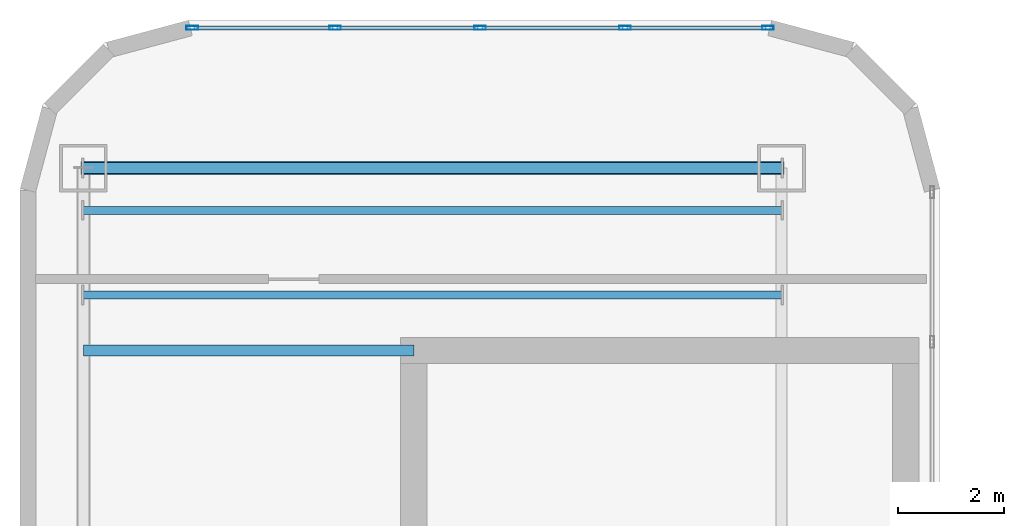
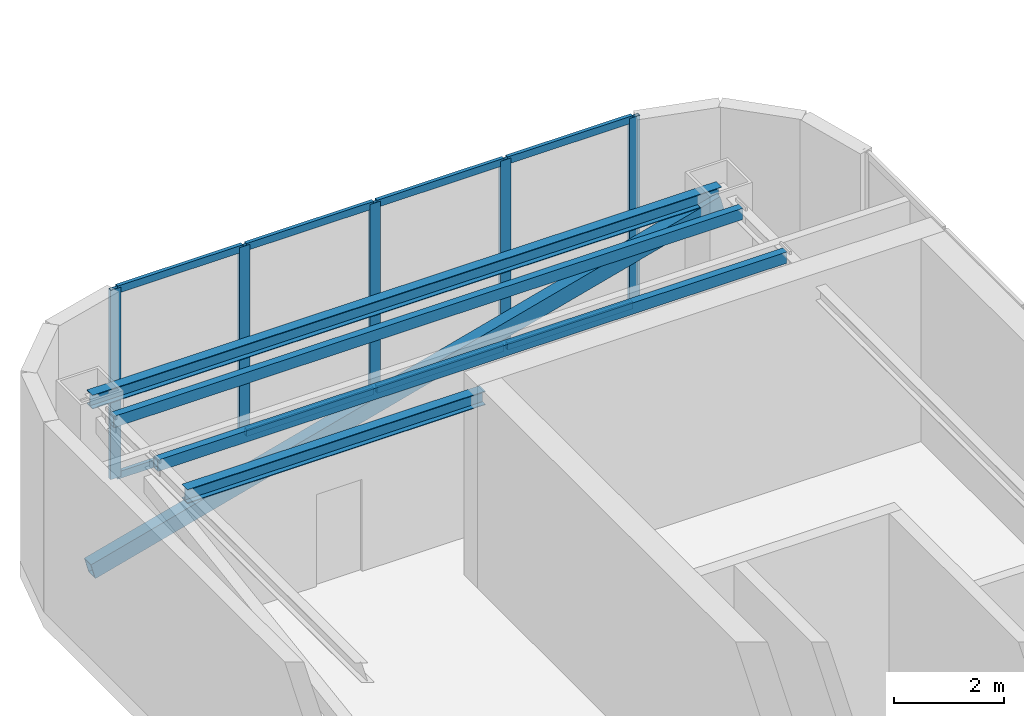
# One storey, part 4 of 13: 16 members, 2 beams, 1 element without a shape of its own.
"""IFC4 building model written with IfcOpenShell, lengths in metres."""

import ifcopenshell
import ifcopenshell.guid

model = None  # the IFC model being written
_history = None  # IfcOwnerHistory: only IFC2X3 demands one
_inside = {}  # id of a spatial element -> (the spatial element, [elements in it])
_under = {}  # id of a project, library or spatial element -> (it, [spatial elements below it])
_declared = {}  # id of a project -> (the project, [libraries it declares])
_typed = {}  # id of a type object -> (the type object, [elements of that type])
_made_of = {}  # id of a material, layer set ... -> (it, [elements and type objects made of it])


def new_model(schema):
    """Start an empty IFC model of exactly this schema.

    Asked for "IFC4X3", IfcOpenShell would pick the latest addendum, in which some entities
    have other attributes; the version numbers below select the first issue.
    IFC2X3 requires an IfcOwnerHistory on every rooted entity: one is made here for all.
    """
    global model, _history
    if schema == "IFC4X3":
        model = ifcopenshell.file(schema_version=(4, 3, 0, 0))
    else:
        model = ifcopenshell.file(schema=schema)
    _inside.clear()
    _under.clear()
    _declared.clear()
    _typed.clear()
    _made_of.clear()
    _history = None
    if model.schema == "IFC2X3":
        org = make("IfcOrganization", Name="unknown")
        user = make(
            "IfcPersonAndOrganization",
            ThePerson=make("IfcPerson", FamilyName="unknown"),
            TheOrganization=org,
        )
        app = make(
            "IfcApplication",
            ApplicationDeveloper=org,
            Version="unknown",
            ApplicationFullName="unknown",
            ApplicationIdentifier="unknown",
        )
        _history = make(
            "IfcOwnerHistory",
            OwningUser=user,
            OwningApplication=app,
            ChangeAction="ADDED",
            CreationDate=0,
        )
    return model


def make(cls, **values):
    """One entity of the class cls with the attributes given. An attribute that is None is left unset."""
    return model.create_entity(
        cls, **{name: value for name, value in values.items() if value is not None}
    )


def rooted(cls, **values):
    """An entity with a GlobalId (a new one), such as an element, a storey or a relation."""
    return make(cls, GlobalId=ifcopenshell.guid.new(), OwnerHistory=_history, **values)


def si_unit(unit_type, name, prefix=None):
    """IfcSIUnit, for example si_unit("LENGTHUNIT", "METRE", prefix="MILLI")."""
    return make("IfcSIUnit", UnitType=unit_type, Prefix=prefix, Name=name)


def assignment(units):
    """IfcUnitAssignment: the units of a project."""
    return None if units is None else make("IfcUnitAssignment", Units=units)


def point(xyz):
    """IfcCartesianPoint."""
    return None if xyz is None else make("IfcCartesianPoint", Coordinates=xyz)


def direction(xyz):
    """IfcDirection."""
    return None if xyz is None else make("IfcDirection", DirectionRatios=xyz)


def frame(location, z_axis=None, x_axis=None):
    """IfcAxis2Placement3D, a coordinate frame: its origin and axes. An axis left out is left unset."""
    return make(
        "IfcAxis2Placement3D",
        Location=point(location),
        Axis=direction(z_axis),
        RefDirection=direction(x_axis),
    )


def frame_2d(location, x_axis=None):
    """IfcAxis2Placement2D, a coordinate frame in the plane: its origin and x axis."""
    return make(
        "IfcAxis2Placement2D", Location=point(location), RefDirection=direction(x_axis)
    )


def origin():
    """The frame at (0, 0, 0) with its axes left unset."""
    return frame((0.0, 0.0, 0.0))


def origin_2d():
    """The frame at (0, 0) in the plane with its x axis left unset."""
    return frame_2d((0.0, 0.0))


def place(relative_to, where):
    """IfcLocalPlacement: puts the frame where relative to a parent placement (None: the world)."""
    return make(
        "IfcLocalPlacement", PlacementRelTo=relative_to, RelativePlacement=where
    )


def context(
    kind, dimensions, precision=None, world=None, true_north=None, identifier=None
):
    """IfcGeometricRepresentationContext, for example the 3D "Model" context."""
    return make(
        "IfcGeometricRepresentationContext",
        ContextIdentifier=identifier,
        ContextType=kind,
        CoordinateSpaceDimension=dimensions,
        Precision=precision,
        WorldCoordinateSystem=world,
        TrueNorth=true_north,
    )


def subcontext(parent, identifier, kind, view, scale=None):
    """IfcGeometricRepresentationSubContext, for example "Body" below "Model"."""
    return make(
        "IfcGeometricRepresentationSubContext",
        ContextIdentifier=identifier,
        ContextType=kind,
        ParentContext=parent,
        TargetScale=scale,
        TargetView=view,
    )


def project(units=None, contexts=None):
    """IfcProject with its units and contexts."""
    return rooted(
        "IfcProject",
        Name="project",
        RepresentationContexts=contexts,
        UnitsInContext=assignment(units),
    )


def spatial(cls, under=None, at=None, **own):
    """A site, building, storey or space (cls), placed at a placement, below another one or the project."""
    s = rooted(cls, ObjectPlacement=at, **own)
    if under is not None:
        _under.setdefault(under.id(), (under, []))[1].append(s)
    return s


def profile(cls, at=None, kind="AREA", **sizes):
    """A parametric profile (cls). Its sizes go by their IFC names, for example OverallWidth=200.0."""
    return make(cls, ProfileType=kind, Position=at, **sizes)


def hollow_rectangle(**sizes):
    """IfcRectangleHollowProfileDef."""
    return profile("IfcRectangleHollowProfileDef", **sizes)


def i_section(**sizes):
    """IfcIShapeProfileDef."""
    return profile("IfcIShapeProfileDef", **sizes)


def extrude(swept, where, along, depth):
    """IfcExtrudedAreaSolid: the profile swept, set in the frame where, extruded along a direction by depth."""
    return make(
        "IfcExtrudedAreaSolid",
        SweptArea=swept,
        Position=where,
        ExtrudedDirection=direction(along),
        Depth=depth,
    )


def shape(context_of_items, identifier, shape_type, items):
    """IfcShapeRepresentation: the items that make up one representation, for example the "Body"."""
    return make(
        "IfcShapeRepresentation",
        ContextOfItems=context_of_items,
        RepresentationIdentifier=identifier,
        RepresentationType=shape_type,
        Items=items,
    )


def material(Name=None, Category=None):
    """IfcMaterial."""
    return make("IfcMaterial", Name=Name, Category=Category)


def layer(
    of_material, thickness, ventilated=None, Name=None, Category=None, Priority=None
):
    """IfcMaterialLayer: one layer of a wall or slab, of a material (None: an air gap)."""
    return make(
        "IfcMaterialLayer",
        Material=of_material,
        LayerThickness=thickness,
        IsVentilated=ventilated,
        Name=Name,
        Category=Category,
        Priority=Priority,
    )


def layer_set(layers, Name=None):
    """IfcMaterialLayerSet."""
    return make("IfcMaterialLayerSet", MaterialLayers=layers, LayerSetName=Name)


def material_profile(
    of_material, cross_section, Name=None, Category=None, Priority=None
):
    """IfcMaterialProfile: a cross section and its material."""
    return make(
        "IfcMaterialProfile",
        Name=Name,
        Material=of_material,
        Profile=cross_section,
        Priority=Priority,
        Category=Category,
    )


def profile_set(profiles, Name=None, composite=None):
    """IfcMaterialProfileSet."""
    return make(
        "IfcMaterialProfileSet",
        Name=Name,
        MaterialProfiles=profiles,
        CompositeProfile=composite,
    )


def made_of(thing, what):
    """Note that an element or type object is made of a material, layer set ...; save() writes the relation."""
    if what is not None:
        _made_of.setdefault(what.id(), (what, []))[1].append(thing)
    return thing


def type_object(cls, material=None, **own):
    """A type object (cls), such as IfcWallType, which elements share."""
    return made_of(rooted(cls, **own), material)


def element(
    cls,
    number,
    at=None,
    inside=None,
    cuts=None,
    type_object=None,
    material=None,
    context=None,
    identifier="Body",
    shape_type=None,
    held_by="IfcProductDefinitionShape",
    body=None,
    shapes=None,
    **own,
):
    """One element of the class cls, such as IfcWall. Its Tag is "e" and its number.

    at: its placement. inside: the storey or other place that contains it. cuts: it is an
    opening in that element (IfcRelVoidsElement). A single representation is given by context,
    identifier, shape_type and body (its items); several are given by shapes. held_by: the class
    of the entity that holds the representations. save() writes the other relations.
    """
    e = rooted(cls, Tag="e%d" % number, ObjectPlacement=at, **own)
    if body is not None:
        shapes = [shape(context, identifier, shape_type, body)]
    if shapes is not None:
        e.Representation = make(held_by, Representations=shapes)
    if inside is not None:
        _inside.setdefault(inside.id(), (inside, []))[1].append(e)
    if cuts is not None:
        rooted(
            "IfcRelVoidsElement", RelatingBuildingElement=cuts, RelatedOpeningElement=e
        )
    if type_object is not None:
        _typed.setdefault(type_object.id(), (type_object, []))[1].append(e)
    return made_of(e, material)


def aggregate(whole, parts):
    """IfcRelAggregates: a whole, such as a stair, and the parts it consists of."""
    return rooted("IfcRelAggregates", RelatingObject=whole, RelatedObjects=parts)


def save(model, path):
    """Write the relations noted so far, then the file.

    IfcRelAggregates (storeys below a building ...), IfcRelContainedInSpatialStructure (elements
    in a storey), IfcRelDefinesByType, IfcRelAssociatesMaterial and IfcRelDeclares: one each for
    every whole, place, type object, material and project.
    """
    for whole, parts in _under.values():
        aggregate(whole, parts)
    for where, things in _inside.values():
        rooted(
            "IfcRelContainedInSpatialStructure",
            RelatedElements=things,
            RelatingStructure=where,
        )
    for kind, things in _typed.values():
        rooted("IfcRelDefinesByType", RelatedObjects=things, RelatingType=kind)
    for what, things in _made_of.values():
        rooted("IfcRelAssociatesMaterial", RelatedObjects=things, RelatingMaterial=what)
    for by, libraries in _declared.values():
        rooted("IfcRelDeclares", RelatingContext=by, RelatedDefinitions=libraries)
    model.write(path)


model = new_model("IFC4")

# Units and contexts
model_context = context("Model", 3, precision=1e-05, world=origin(), true_north=direction((0.0, 1.0)))
body_context = subcontext(model_context, "Body", "Model", "MODEL_VIEW")
ifc_project = project(units=[si_unit("LENGTHUNIT", "METRE"), si_unit("AREAUNIT", "SQUARE_METRE"), si_unit("VOLUMEUNIT", "CUBIC_METRE"), si_unit("PLANEANGLEUNIT", "RADIAN"), si_unit("MASSUNIT", "GRAM", prefix="KILO")], contexts=[model_context])

# Site, building, storey
site_placement = place(None, origin())
site = spatial("IfcSite", under=ifc_project, at=site_placement, CompositionType="ELEMENT")
building_placement = place(site_placement, origin())
building = spatial("IfcBuilding", under=site, at=building_placement, Name="Kiyonajd Concourse Tower", CompositionType="ELEMENT")
storey_placement = place(building_placement, frame((0.0, 0.0, 363.89990234375)))
storey = spatial("IfcBuildingStorey", under=building, at=storey_placement, Name="L91", CompositionType="ELEMENT", Elevation=363.89990234375)

# Beams
ifc_material_1 = material(Name="Steel ASTM A992 Grade 50", Category="steel")
ifc_material_profile_1 = material_profile(ifc_material_1, i_section(OverallWidth=0.2041015625, OverallDepth=0.305908203125, WebThickness=0.008544921875, FlangeThickness=0.0146484375, at=origin_2d()), Name="W310X67")
ifc_profile_set_1 = profile_set([ifc_material_profile_1], Name="Steel ASTM A992 Grade 50")
beam_type = type_object("IfcBeamType", Name="BM-CRN-310", PredefinedType="BEAM", material=ifc_profile_set_1)
beam_1_placement = place(storey_placement, frame((39.60009765625, 47.60009765625, 4.047119140625), z_axis=(-1.0, 0.0, 0.0), x_axis=(0.0, -1.0, 0.0)))
element("IfcBeam", 1, at=beam_1_placement, inside=storey, type_object=beam_type, Name="L91 W Crown Ring Beam 3", PredefinedType="BEAM", context=body_context, shape_type="SweptSolid", body=[
    extrude(i_section(OverallWidth=0.2041015625, OverallDepth=0.305908203125, WebThickness=0.008544921875, FlangeThickness=0.0146484375, at=origin_2d()), origin(), (0.0, 0.0, 1.0), 13.2001953125),
])
beam_2_placement = place(storey_placement, frame((26.39990234375, 44.14990234375, 4.047119140625), z_axis=(1.0, 0.0, 0.0), x_axis=(0.0, 1.0, 0.0)))
element("IfcBeam", 2, at=beam_2_placement, inside=storey, type_object=beam_type, Name="L91 W Crown Core Tie North", PredefinedType="BEAM", context=body_context, shape_type="SweptSolid", body=[
    extrude(i_section(OverallWidth=0.2041015625, OverallDepth=0.305908203125, WebThickness=0.008544921875, FlangeThickness=0.0146484375, at=origin_2d()), origin(), (0.0, 0.0, 1.0), 6.25),
])

# Members
ifc_material_2 = material(Name="Steel ASTM A500 Grade C", Category="steel")
ifc_material_profile_2 = material_profile(ifc_material_2, hollow_rectangle(XDim=0.25, YDim=0.35009765625, WallThickness=0.01611328125, at=origin_2d()), Name="HSS-350x250x16")
ifc_profile_set_2 = profile_set([ifc_material_profile_2], Name="Steel ASTM A500 Grade C")
member_type_1 = type_object("IfcMemberType", Name="MB-CRN-BRC", PredefinedType="BRACE", material=ifc_profile_set_2)
member_1_placement = place(storey_placement, frame((26.39990234375, 47.60009765625, 0.300048828125), z_axis=(0.965686426115, 0.0, 0.25971085156), x_axis=(0.0, 1.0, 0.0)))
element("IfcMember", 3, at=member_1_placement, inside=storey, type_object=member_type_1, Name="L91 W Crown Wind Brace 1", PredefinedType="BRACE", context=body_context, shape_type="SweptSolid", body=[
    extrude(hollow_rectangle(XDim=0.25, YDim=0.35009765625, WallThickness=0.01611328125, at=origin_2d()), origin(), (0.0, 0.0, 1.0), 13.669189453125),
])
ifc_material_profile_3 = material_profile(ifc_material_2, hollow_rectangle(XDim=0.14990234375, YDim=0.25, WallThickness=0.011962890625, at=origin_2d()), Name="HSS-250x150x12")
ifc_profile_set_3 = profile_set([ifc_material_profile_3], Name="Steel ASTM A500 Grade C")
member_type_2 = type_object("IfcMemberType", Name="MB-CRN-PURL", PredefinedType="PURLIN", material=ifc_profile_set_3)
for number, where, z_axis, x_axis, name in (
    (4, (26.39990234375, 45.199951171875, 4.0751953125), (1.0, 0.0, 0.0), (0.0, 1.0, 0.0), "L91 W Crown Roof Purlin 3"),
    (5, (26.39990234375, 46.800048828125, 4.0751953125), (1.0, 0.0, 0.0), (0.0, 1.0, 0.0), "L91 W Crown Roof Purlin 4"),
):
    element("IfcMember", number, at=place(storey_placement, frame(where, z_axis=z_axis, x_axis=x_axis)), inside=storey, type_object=member_type_2, Name=name, PredefinedType="PURLIN", context=body_context, shape_type="SweptSolid", body=[
        extrude(hollow_rectangle(XDim=0.14990234375, YDim=0.25, WallThickness=0.011962890625, at=origin_2d()), origin(), (0.0, 0.0, 1.0), 13.2001953125),
    ])

# Curtain wall, members
ifc_material_3 = material(Name="Thermally Broken Anodised Aluminium", Category="aluminium")
ifc_layer = layer(ifc_material_3, 0.179931640625)
ifc_layer_set = layer_set([ifc_layer], Name="Thermally Broken Anodised Aluminium")
curtain_wall_type = type_object("IfcCurtainWallType", Name="CW-SYS-06", PredefinedType="NOTDEFINED", material=ifc_layer_set)
curtain_wall_placement = place(storey_placement, origin())
curtain_wall = element("IfcCurtainWall", 6, at=curtain_wall_placement, inside=storey, type_object=curtain_wall_type, Name="L91 Unitised Curtain Wall CW6", PredefinedType="NOTDEFINED")
ifc_material_profile_4 = material_profile(ifc_material_3, hollow_rectangle(XDim=0.074951171875, YDim=0.219970703125, WallThickness=0.0048828125, at=origin_2d()), Name="MULL-75x220")
ifc_profile_set_4 = profile_set([ifc_material_profile_4], Name="Thermally Broken Anodised Aluminium")
member_type_3 = type_object("IfcMemberType", Name="MB-CW-MULL2", PredefinedType="MULLION", material=ifc_profile_set_4)
member_2_placement = place(storey_placement, frame((28.457275390625, 50.25, 0.0), z_axis=(0.0, 0.0, 1.0), x_axis=(0.0, 1.0, 0.0)))
member_2 = element("IfcMember", 7, at=member_2_placement, type_object=member_type_3, Name="CW6 mullion 1", PredefinedType="MULLION", context=body_context, shape_type="SweptSolid", body=[
    extrude(hollow_rectangle(XDim=0.074951171875, YDim=0.219970703125, WallThickness=0.0048828125, at=origin_2d()), origin(), (0.0, 0.0, 1.0), 4.2001953125),
])
member_3_placement = place(storey_placement, frame((31.159912109375, 50.25, 0.0), z_axis=(0.0, 0.0, 1.0), x_axis=(0.0, 1.0, 0.0)))
member_3 = element("IfcMember", 8, at=member_3_placement, type_object=member_type_3, Name="CW6 mullion 2", PredefinedType="MULLION", context=body_context, shape_type="SweptSolid", body=[
    extrude(hollow_rectangle(XDim=0.074951171875, YDim=0.219970703125, WallThickness=0.0048828125, at=origin_2d()), origin(), (0.0, 0.0, 1.0), 4.2001953125),
])
member_4_placement = place(storey_placement, frame((33.89990234375, 50.25, 0.0), z_axis=(0.0, 0.0, 1.0), x_axis=(0.0, 1.0, 0.0)))
member_4 = element("IfcMember", 9, at=member_4_placement, type_object=member_type_3, Name="CW6 mullion 3", PredefinedType="MULLION", context=body_context, shape_type="SweptSolid", body=[
    extrude(hollow_rectangle(XDim=0.074951171875, YDim=0.219970703125, WallThickness=0.0048828125, at=origin_2d()), origin(), (0.0, 0.0, 1.0), 4.2001953125),
])
member_5_placement = place(storey_placement, frame((36.64013671875, 50.25, 0.0), z_axis=(0.0, 0.0, 1.0), x_axis=(0.0, 1.0, 0.0)))
member_5 = element("IfcMember", 10, at=member_5_placement, type_object=member_type_3, Name="CW6 mullion 4", PredefinedType="MULLION", context=body_context, shape_type="SweptSolid", body=[
    extrude(hollow_rectangle(XDim=0.074951171875, YDim=0.219970703125, WallThickness=0.0048828125, at=origin_2d()), origin(), (0.0, 0.0, 1.0), 4.2001953125),
])
member_6_placement = place(storey_placement, frame((39.3427734375, 50.25, 0.0), z_axis=(0.0, 0.0, 1.0), x_axis=(0.0, 1.0, 0.0)))
member_6 = element("IfcMember", 11, at=member_6_placement, type_object=member_type_3, Name="CW6 mullion 5", PredefinedType="MULLION", context=body_context, shape_type="SweptSolid", body=[
    extrude(hollow_rectangle(XDim=0.074951171875, YDim=0.219970703125, WallThickness=0.0048828125, at=origin_2d()), origin(), (0.0, 0.0, 1.0), 4.2001953125),
])
ifc_material_profile_5 = material_profile(ifc_material_3, hollow_rectangle(XDim=0.074951171875, YDim=0.159912109375, WallThickness=0.0048828125, at=origin_2d()), Name="TRAN-75x160")
ifc_profile_set_5 = profile_set([ifc_material_profile_5], Name="Thermally Broken Anodised Aluminium")
member_type_4 = type_object("IfcMemberType", Name="MB-CW-TRAN2", PredefinedType="USERDEFINED", material=ifc_profile_set_5)
member_7_placement = place(storey_placement, frame((28.494873046875, 50.25, 0.03759765625), z_axis=(1.0, 0.0, 0.0), x_axis=(0.0, 1.0, 0.0)))
member_7 = element("IfcMember", 12, at=member_7_placement, type_object=member_type_4, Name="CW6 transom 1.1", ObjectType="TRANSOM", PredefinedType="USERDEFINED", context=body_context, shape_type="SweptSolid", body=[
    extrude(hollow_rectangle(XDim=0.074951171875, YDim=0.159912109375, WallThickness=0.0048828125, at=origin_2d()), origin(), (0.0, 0.0, 1.0), 2.62744140625),
])
member_8_placement = place(storey_placement, frame((28.494873046875, 50.25, 4.16259765625), z_axis=(1.0, 0.0, 0.0), x_axis=(0.0, 1.0, 0.0)))
member_8 = element("IfcMember", 13, at=member_8_placement, type_object=member_type_4, Name="CW6 transom 1.2", ObjectType="TRANSOM", PredefinedType="USERDEFINED", context=body_context, shape_type="SweptSolid", body=[
    extrude(hollow_rectangle(XDim=0.074951171875, YDim=0.159912109375, WallThickness=0.0048828125, at=origin_2d()), origin(), (0.0, 0.0, 1.0), 2.62744140625),
])
member_9_placement = place(storey_placement, frame((31.197509765625, 50.25, 0.03759765625), z_axis=(1.0, 0.0, 0.0), x_axis=(0.0, 1.0, 0.0)))
member_9 = element("IfcMember", 14, at=member_9_placement, type_object=member_type_4, Name="CW6 transom 2.1", ObjectType="TRANSOM", PredefinedType="USERDEFINED", context=body_context, shape_type="SweptSolid", body=[
    extrude(hollow_rectangle(XDim=0.074951171875, YDim=0.159912109375, WallThickness=0.0048828125, at=origin_2d()), origin(), (0.0, 0.0, 1.0), 2.6650390625),
])
member_10_placement = place(storey_placement, frame((31.197509765625, 50.25, 4.16259765625), z_axis=(1.0, 0.0, 0.0), x_axis=(0.0, 1.0, 0.0)))
member_10 = element("IfcMember", 15, at=member_10_placement, type_object=member_type_4, Name="CW6 transom 2.2", ObjectType="TRANSOM", PredefinedType="USERDEFINED", context=body_context, shape_type="SweptSolid", body=[
    extrude(hollow_rectangle(XDim=0.074951171875, YDim=0.159912109375, WallThickness=0.0048828125, at=origin_2d()), origin(), (0.0, 0.0, 1.0), 2.6650390625),
])
member_11_placement = place(storey_placement, frame((33.9375, 50.25, 0.03759765625), z_axis=(1.0, 0.0, 0.0), x_axis=(0.0, 1.0, 0.0)))
member_11 = element("IfcMember", 16, at=member_11_placement, type_object=member_type_4, Name="CW6 transom 3.1", ObjectType="TRANSOM", PredefinedType="USERDEFINED", context=body_context, shape_type="SweptSolid", body=[
    extrude(hollow_rectangle(XDim=0.074951171875, YDim=0.159912109375, WallThickness=0.0048828125, at=origin_2d()), origin(), (0.0, 0.0, 1.0), 2.6650390625),
])
member_12_placement = place(storey_placement, frame((33.9375, 50.25, 4.16259765625), z_axis=(1.0, 0.0, 0.0), x_axis=(0.0, 1.0, 0.0)))
member_12 = element("IfcMember", 17, at=member_12_placement, type_object=member_type_4, Name="CW6 transom 3.2", ObjectType="TRANSOM", PredefinedType="USERDEFINED", context=body_context, shape_type="SweptSolid", body=[
    extrude(hollow_rectangle(XDim=0.074951171875, YDim=0.159912109375, WallThickness=0.0048828125, at=origin_2d()), origin(), (0.0, 0.0, 1.0), 2.6650390625),
])
member_13_placement = place(storey_placement, frame((36.677490234375, 50.25, 0.03759765625), z_axis=(1.0, 0.0, 0.0), x_axis=(0.0, 1.0, 0.0)))
member_13 = element("IfcMember", 18, at=member_13_placement, type_object=member_type_4, Name="CW6 transom 4.1", ObjectType="TRANSOM", PredefinedType="USERDEFINED", context=body_context, shape_type="SweptSolid", body=[
    extrude(hollow_rectangle(XDim=0.074951171875, YDim=0.159912109375, WallThickness=0.0048828125, at=origin_2d()), origin(), (0.0, 0.0, 1.0), 2.627685546875),
])
member_14_placement = place(storey_placement, frame((36.677490234375, 50.25, 4.16259765625), z_axis=(1.0, 0.0, 0.0), x_axis=(0.0, 1.0, 0.0)))
member_14 = element("IfcMember", 19, at=member_14_placement, type_object=member_type_4, Name="CW6 transom 4.2", ObjectType="TRANSOM", PredefinedType="USERDEFINED", context=body_context, shape_type="SweptSolid", body=[
    extrude(hollow_rectangle(XDim=0.074951171875, YDim=0.159912109375, WallThickness=0.0048828125, at=origin_2d()), origin(), (0.0, 0.0, 1.0), 2.627685546875),
])
aggregate(curtain_wall, [member_2, member_3, member_4, member_5, member_6, member_7, member_8, member_9, member_10, member_11, member_12, member_13, member_14])

save(model, "model.ifc")
